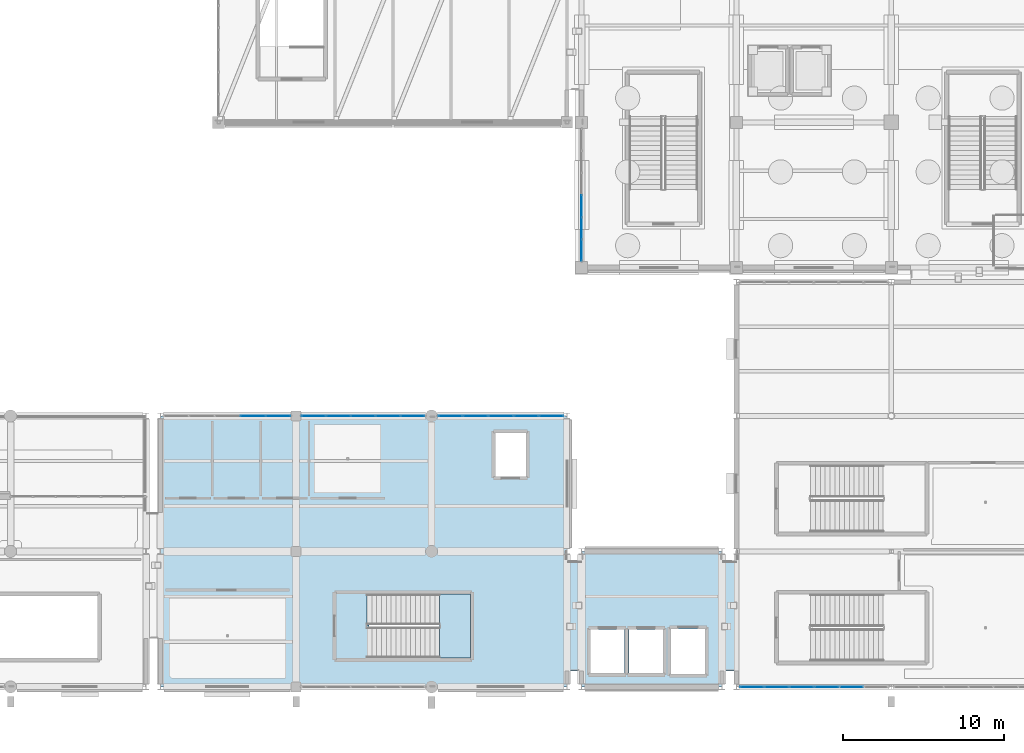
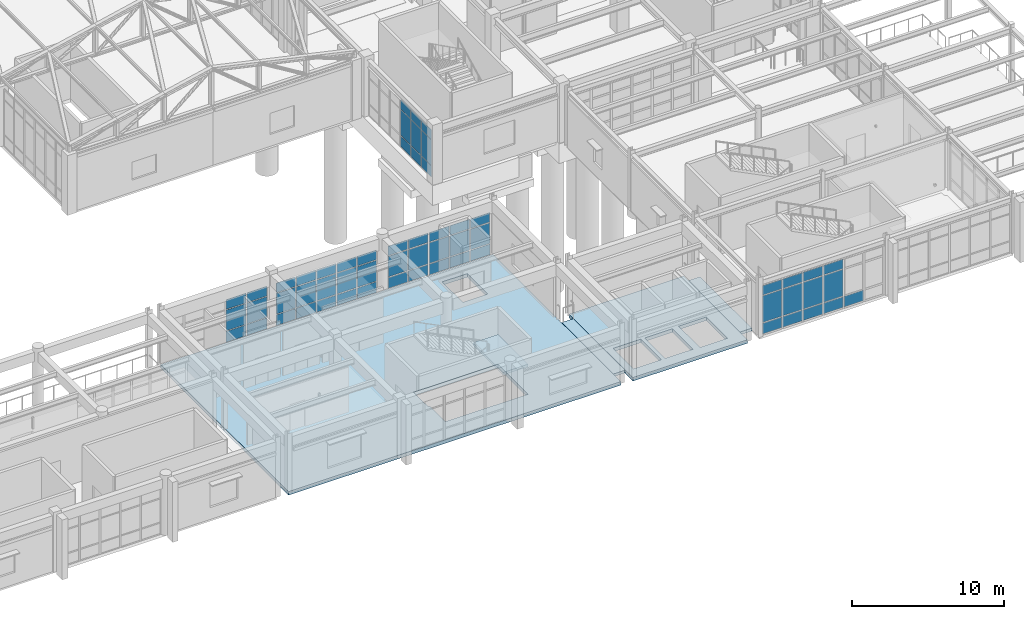
# One storey, part 92 of 139: 58 plates, 5 slabs, 6 elements without a shape of their own.
"""IFC4 building model written with IfcOpenShell, lengths in metres."""

import ifcopenshell
import ifcopenshell.guid

model = None  # the IFC model being written
_history = None  # IfcOwnerHistory: only IFC2X3 demands one
_inside = {}  # id of a spatial element -> (the spatial element, [elements in it])
_under = {}  # id of a project, library or spatial element -> (it, [spatial elements below it])
_declared = {}  # id of a project -> (the project, [libraries it declares])
_typed = {}  # id of a type object -> (the type object, [elements of that type])
_made_of = {}  # id of a material, layer set ... -> (it, [elements and type objects made of it])


def new_model(schema):
    """Start an empty IFC model of exactly this schema.

    Asked for "IFC4X3", IfcOpenShell would pick the latest addendum, in which some entities
    have other attributes; the version numbers below select the first issue.
    IFC2X3 requires an IfcOwnerHistory on every rooted entity: one is made here for all.
    """
    global model, _history
    if schema == "IFC4X3":
        model = ifcopenshell.file(schema_version=(4, 3, 0, 0))
    else:
        model = ifcopenshell.file(schema=schema)
    _inside.clear()
    _under.clear()
    _declared.clear()
    _typed.clear()
    _made_of.clear()
    _history = None
    if model.schema == "IFC2X3":
        org = make("IfcOrganization", Name="unknown")
        user = make(
            "IfcPersonAndOrganization",
            ThePerson=make("IfcPerson", FamilyName="unknown"),
            TheOrganization=org,
        )
        app = make(
            "IfcApplication",
            ApplicationDeveloper=org,
            Version="unknown",
            ApplicationFullName="unknown",
            ApplicationIdentifier="unknown",
        )
        _history = make(
            "IfcOwnerHistory",
            OwningUser=user,
            OwningApplication=app,
            ChangeAction="ADDED",
            CreationDate=0,
        )
    return model


def make(cls, **values):
    """One entity of the class cls with the attributes given. An attribute that is None is left unset."""
    return model.create_entity(
        cls, **{name: value for name, value in values.items() if value is not None}
    )


def rooted(cls, **values):
    """An entity with a GlobalId (a new one), such as an element, a storey or a relation."""
    return make(cls, GlobalId=ifcopenshell.guid.new(), OwnerHistory=_history, **values)


def si_unit(unit_type, name, prefix=None):
    """IfcSIUnit, for example si_unit("LENGTHUNIT", "METRE", prefix="MILLI")."""
    return make("IfcSIUnit", UnitType=unit_type, Prefix=prefix, Name=name)


def assignment(units):
    """IfcUnitAssignment: the units of a project."""
    return None if units is None else make("IfcUnitAssignment", Units=units)


def point(xyz):
    """IfcCartesianPoint."""
    return None if xyz is None else make("IfcCartesianPoint", Coordinates=xyz)


def direction(xyz):
    """IfcDirection."""
    return None if xyz is None else make("IfcDirection", DirectionRatios=xyz)


def frame(location, z_axis=None, x_axis=None):
    """IfcAxis2Placement3D, a coordinate frame: its origin and axes. An axis left out is left unset."""
    return make(
        "IfcAxis2Placement3D",
        Location=point(location),
        Axis=direction(z_axis),
        RefDirection=direction(x_axis),
    )


def frame_2d(location, x_axis=None):
    """IfcAxis2Placement2D, a coordinate frame in the plane: its origin and x axis."""
    return make(
        "IfcAxis2Placement2D", Location=point(location), RefDirection=direction(x_axis)
    )


def origin():
    """The frame at (0, 0, 0) with its axes left unset."""
    return frame((0.0, 0.0, 0.0))


def origin_2d():
    """The frame at (0, 0) in the plane with its x axis left unset."""
    return frame_2d((0.0, 0.0))


def place(relative_to, where):
    """IfcLocalPlacement: puts the frame where relative to a parent placement (None: the world)."""
    return make(
        "IfcLocalPlacement", PlacementRelTo=relative_to, RelativePlacement=where
    )


def context(
    kind, dimensions, precision=None, world=None, true_north=None, identifier=None
):
    """IfcGeometricRepresentationContext, for example the 3D "Model" context."""
    return make(
        "IfcGeometricRepresentationContext",
        ContextIdentifier=identifier,
        ContextType=kind,
        CoordinateSpaceDimension=dimensions,
        Precision=precision,
        WorldCoordinateSystem=world,
        TrueNorth=true_north,
    )


def subcontext(parent, identifier, kind, view, scale=None):
    """IfcGeometricRepresentationSubContext, for example "Body" below "Model"."""
    return make(
        "IfcGeometricRepresentationSubContext",
        ContextIdentifier=identifier,
        ContextType=kind,
        ParentContext=parent,
        TargetScale=scale,
        TargetView=view,
    )


def project(units=None, contexts=None):
    """IfcProject with its units and contexts."""
    return rooted(
        "IfcProject",
        Name="project",
        RepresentationContexts=contexts,
        UnitsInContext=assignment(units),
    )


def spatial(cls, under=None, at=None, **own):
    """A site, building, storey or space (cls), placed at a placement, below another one or the project."""
    s = rooted(cls, ObjectPlacement=at, **own)
    if under is not None:
        _under.setdefault(under.id(), (under, []))[1].append(s)
    return s


def polyline(points):
    """IfcPolyline through the points."""
    return make("IfcPolyline", Points=[point(p) for p in points])


def profile(cls, at=None, kind="AREA", **sizes):
    """A parametric profile (cls). Its sizes go by their IFC names, for example OverallWidth=200.0."""
    return make(cls, ProfileType=kind, Position=at, **sizes)


def rectangle(**sizes):
    """IfcRectangleProfileDef."""
    return profile("IfcRectangleProfileDef", **sizes)


def outline(outer, holes=None, kind="AREA"):
    """IfcArbitraryClosedProfileDef: a profile drawn as a closed curve; with holes, ...WithVoids."""
    if holes is None:
        return make("IfcArbitraryClosedProfileDef", ProfileType=kind, OuterCurve=outer)
    return make(
        "IfcArbitraryProfileDefWithVoids",
        ProfileType=kind,
        OuterCurve=outer,
        InnerCurves=holes,
    )


def extrude(swept, where, along, depth):
    """IfcExtrudedAreaSolid: the profile swept, set in the frame where, extruded along a direction by depth."""
    return make(
        "IfcExtrudedAreaSolid",
        SweptArea=swept,
        Position=where,
        ExtrudedDirection=direction(along),
        Depth=depth,
    )


def shape(context_of_items, identifier, shape_type, items):
    """IfcShapeRepresentation: the items that make up one representation, for example the "Body"."""
    return make(
        "IfcShapeRepresentation",
        ContextOfItems=context_of_items,
        RepresentationIdentifier=identifier,
        RepresentationType=shape_type,
        Items=items,
    )


def material(Name=None, Category=None):
    """IfcMaterial."""
    return make("IfcMaterial", Name=Name, Category=Category)


def layer(
    of_material, thickness, ventilated=None, Name=None, Category=None, Priority=None
):
    """IfcMaterialLayer: one layer of a wall or slab, of a material (None: an air gap)."""
    return make(
        "IfcMaterialLayer",
        Material=of_material,
        LayerThickness=thickness,
        IsVentilated=ventilated,
        Name=Name,
        Category=Category,
        Priority=Priority,
    )


def layer_set(layers, Name=None):
    """IfcMaterialLayerSet."""
    return make("IfcMaterialLayerSet", MaterialLayers=layers, LayerSetName=Name)


def made_of(thing, what):
    """Note that an element or type object is made of a material, layer set ...; save() writes the relation."""
    if what is not None:
        _made_of.setdefault(what.id(), (what, []))[1].append(thing)
    return thing


def type_object(cls, material=None, **own):
    """A type object (cls), such as IfcWallType, which elements share."""
    return made_of(rooted(cls, **own), material)


def element(
    cls,
    number,
    at=None,
    inside=None,
    cuts=None,
    type_object=None,
    material=None,
    context=None,
    identifier="Body",
    shape_type=None,
    held_by="IfcProductDefinitionShape",
    body=None,
    shapes=None,
    **own,
):
    """One element of the class cls, such as IfcWall. Its Tag is "e" and its number.

    at: its placement. inside: the storey or other place that contains it. cuts: it is an
    opening in that element (IfcRelVoidsElement). A single representation is given by context,
    identifier, shape_type and body (its items); several are given by shapes. held_by: the class
    of the entity that holds the representations. save() writes the other relations.
    """
    e = rooted(cls, Tag="e%d" % number, ObjectPlacement=at, **own)
    if body is not None:
        shapes = [shape(context, identifier, shape_type, body)]
    if shapes is not None:
        e.Representation = make(held_by, Representations=shapes)
    if inside is not None:
        _inside.setdefault(inside.id(), (inside, []))[1].append(e)
    if cuts is not None:
        rooted(
            "IfcRelVoidsElement", RelatingBuildingElement=cuts, RelatedOpeningElement=e
        )
    if type_object is not None:
        _typed.setdefault(type_object.id(), (type_object, []))[1].append(e)
    return made_of(e, material)


def aggregate(whole, parts):
    """IfcRelAggregates: a whole, such as a stair, and the parts it consists of."""
    return rooted("IfcRelAggregates", RelatingObject=whole, RelatedObjects=parts)


def save(model, path):
    """Write the relations noted so far, then the file.

    IfcRelAggregates (storeys below a building ...), IfcRelContainedInSpatialStructure (elements
    in a storey), IfcRelDefinesByType, IfcRelAssociatesMaterial and IfcRelDeclares: one each for
    every whole, place, type object, material and project.
    """
    for whole, parts in _under.values():
        aggregate(whole, parts)
    for where, things in _inside.values():
        rooted(
            "IfcRelContainedInSpatialStructure",
            RelatedElements=things,
            RelatingStructure=where,
        )
    for kind, things in _typed.values():
        rooted("IfcRelDefinesByType", RelatedObjects=things, RelatingType=kind)
    for what, things in _made_of.values():
        rooted("IfcRelAssociatesMaterial", RelatedObjects=things, RelatingMaterial=what)
    for by, libraries in _declared.values():
        rooted("IfcRelDeclares", RelatingContext=by, RelatedDefinitions=libraries)
    model.write(path)


model = new_model("IFC4")

# Units and contexts
model_context = context("Model", 3, precision=1e-05, world=origin(), true_north=direction((0.0, 1.0)))
body_context = subcontext(model_context, "Body", "Model", "MODEL_VIEW")
ifc_project = project(units=[si_unit("LENGTHUNIT", "METRE"), si_unit("AREAUNIT", "SQUARE_METRE"), si_unit("VOLUMEUNIT", "CUBIC_METRE"), si_unit("PLANEANGLEUNIT", "RADIAN"), si_unit("MASSUNIT", "GRAM", prefix="KILO")], contexts=[model_context])

# Site, building, storey
site_placement = place(None, origin())
site = spatial("IfcSite", under=ifc_project, at=site_placement, CompositionType="ELEMENT")
building_placement = place(site_placement, origin())
building = spatial("IfcBuilding", under=site, at=building_placement, Name="Canglan Escarpment Cableway Terminal", CompositionType="ELEMENT")
storey_placement = place(building_placement, frame((0.0, 0.0, 14.39990234375)))
storey = spatial("IfcBuildingStorey", under=building, at=storey_placement, Name="L03", CompositionType="ELEMENT", Elevation=14.39990234375)

# Curtain wall, plates
ifc_material_1 = material(Name="Anodized bronze aluminium and Low-E double glazing", Category="aluminium")
curtain_wall_type_1 = type_object("IfcCurtainWallType", Name="CW-BAY-7850x3525", PredefinedType="NOTDEFINED", material=ifc_material_1)
curtain_wall_1_placement = place(storey_placement, origin())
curtain_wall_1 = element("IfcCurtainWall", 1, at=curtain_wall_1_placement, inside=storey, type_object=curtain_wall_type_1, Name="Classical bay-between-piers glazed curtain wall CW-19", PredefinedType="NOTDEFINED")
ifc_material_2 = material(Name="Double-silver Low-E laminated insulating glass", Category="glass")
ifc_layer_1 = layer(ifc_material_2, 0.02392578125, Name="Double-silver Low-E laminated insulating glass")
ifc_layer_set_1 = layer_set([ifc_layer_1], Name="Double-silver Low-E laminated insulating glass")
plate_type_1 = type_object("IfcPlateType", Name="CWP-01", PredefinedType="CURTAIN_PANEL", material=ifc_layer_set_1)
plate_1_placement = place(storey_placement, frame((135.7236328125, 24.800048828125, 0.065185546875), z_axis=(0.0, 0.0, 1.0), x_axis=(-1.0, 0.0, 0.0)))
plate_1 = element("IfcPlate", 2, at=plate_1_placement, type_object=plate_type_1, Name="CW-19 panel 1.1", PredefinedType="CURTAIN_PANEL", context=body_context, shape_type="SweptSolid", body=[
    extrude(rectangle(XDim=1.472412109375, YDim=0.02392578125, at=origin_2d()), origin(), (0.0, 0.0, 1.0), 0.8525390625),
])
plate_2_placement = place(storey_placement, frame((135.7236328125, 24.800048828125, 0.982666015625), z_axis=(0.0, 0.0, 1.0), x_axis=(-1.0, 0.0, 0.0)))
plate_2 = element("IfcPlate", 3, at=plate_2_placement, type_object=plate_type_1, Name="CW-19 panel 1.2", PredefinedType="CURTAIN_PANEL", context=body_context, shape_type="SweptSolid", body=[
    extrude(rectangle(XDim=1.472412109375, YDim=0.02392578125, at=origin_2d()), origin(), (0.0, 0.0, 1.0), 1.64990234375),
])
plate_3_placement = place(storey_placement, frame((135.7236328125, 24.800048828125, 2.697509765625), z_axis=(0.0, 0.0, 1.0), x_axis=(-1.0, 0.0, 0.0)))
plate_3 = element("IfcPlate", 4, at=plate_3_placement, type_object=plate_type_1, Name="CW-19 panel 1.3", PredefinedType="CURTAIN_PANEL", context=body_context, shape_type="SweptSolid", body=[
    extrude(rectangle(XDim=1.472412109375, YDim=0.02392578125, at=origin_2d()), origin(), (0.0, 0.0, 1.0), 0.75244140625),
])
plate_4_placement = place(storey_placement, frame((134.169921875, 24.800048828125, 0.065185546875), z_axis=(0.0, 0.0, 1.0), x_axis=(-1.0, 0.0, 0.0)))
plate_4 = element("IfcPlate", 5, at=plate_4_placement, type_object=plate_type_1, Name="CW-19 panel 2.1", PredefinedType="CURTAIN_PANEL", context=body_context, shape_type="SweptSolid", body=[
    extrude(rectangle(XDim=1.5048828125, YDim=0.02392578125, at=origin_2d()), origin(), (0.0, 0.0, 1.0), 0.8525390625),
])
plate_5_placement = place(storey_placement, frame((134.169921875, 24.800048828125, 0.982666015625), z_axis=(0.0, 0.0, 1.0), x_axis=(-1.0, 0.0, 0.0)))
plate_5 = element("IfcPlate", 6, at=plate_5_placement, type_object=plate_type_1, Name="CW-19 panel 2.2", PredefinedType="CURTAIN_PANEL", context=body_context, shape_type="SweptSolid", body=[
    extrude(rectangle(XDim=1.5048828125, YDim=0.02392578125, at=origin_2d()), origin(), (0.0, 0.0, 1.0), 1.64990234375),
])
plate_6_placement = place(storey_placement, frame((134.169921875, 24.800048828125, 2.697509765625), z_axis=(0.0, 0.0, 1.0), x_axis=(-1.0, 0.0, 0.0)))
plate_6 = element("IfcPlate", 7, at=plate_6_placement, type_object=plate_type_1, Name="CW-19 panel 2.3", PredefinedType="CURTAIN_PANEL", context=body_context, shape_type="SweptSolid", body=[
    extrude(rectangle(XDim=1.5048828125, YDim=0.02392578125, at=origin_2d()), origin(), (0.0, 0.0, 1.0), 0.75244140625),
])
plate_7_placement = place(storey_placement, frame((132.60009765625, 24.800048828125, 0.065185546875), z_axis=(0.0, 0.0, 1.0), x_axis=(-1.0, 0.0, 0.0)))
plate_7 = element("IfcPlate", 8, at=plate_7_placement, type_object=plate_type_1, Name="CW-19 panel 3.1", PredefinedType="CURTAIN_PANEL", context=body_context, shape_type="SweptSolid", body=[
    extrude(rectangle(XDim=1.5048828125, YDim=0.02392578125, at=origin_2d()), origin(), (0.0, 0.0, 1.0), 0.8525390625),
])
plate_8_placement = place(storey_placement, frame((132.60009765625, 24.800048828125, 0.982666015625), z_axis=(0.0, 0.0, 1.0), x_axis=(-1.0, 0.0, 0.0)))
plate_8 = element("IfcPlate", 9, at=plate_8_placement, type_object=plate_type_1, Name="CW-19 panel 3.2", PredefinedType="CURTAIN_PANEL", context=body_context, shape_type="SweptSolid", body=[
    extrude(rectangle(XDim=1.5048828125, YDim=0.02392578125, at=origin_2d()), origin(), (0.0, 0.0, 1.0), 1.64990234375),
])
plate_9_placement = place(storey_placement, frame((132.60009765625, 24.800048828125, 2.697509765625), z_axis=(0.0, 0.0, 1.0), x_axis=(-1.0, 0.0, 0.0)))
plate_9 = element("IfcPlate", 10, at=plate_9_placement, type_object=plate_type_1, Name="CW-19 panel 3.3", PredefinedType="CURTAIN_PANEL", context=body_context, shape_type="SweptSolid", body=[
    extrude(rectangle(XDim=1.5048828125, YDim=0.02392578125, at=origin_2d()), origin(), (0.0, 0.0, 1.0), 0.75244140625),
])
plate_10_placement = place(storey_placement, frame((131.030029296875, 24.800048828125, 0.065185546875), z_axis=(0.0, 0.0, 1.0), x_axis=(-1.0, 0.0, 0.0)))
plate_10 = element("IfcPlate", 11, at=plate_10_placement, type_object=plate_type_1, Name="CW-19 panel 4.1", PredefinedType="CURTAIN_PANEL", context=body_context, shape_type="SweptSolid", body=[
    extrude(rectangle(XDim=1.5048828125, YDim=0.02392578125, at=origin_2d()), origin(), (0.0, 0.0, 1.0), 0.8525390625),
])
plate_11_placement = place(storey_placement, frame((131.030029296875, 24.800048828125, 0.982666015625), z_axis=(0.0, 0.0, 1.0), x_axis=(-1.0, 0.0, 0.0)))
plate_11 = element("IfcPlate", 12, at=plate_11_placement, type_object=plate_type_1, Name="CW-19 panel 4.2", PredefinedType="CURTAIN_PANEL", context=body_context, shape_type="SweptSolid", body=[
    extrude(rectangle(XDim=1.5048828125, YDim=0.02392578125, at=origin_2d()), origin(), (0.0, 0.0, 1.0), 1.64990234375),
])
plate_12_placement = place(storey_placement, frame((131.030029296875, 24.800048828125, 2.697509765625), z_axis=(0.0, 0.0, 1.0), x_axis=(-1.0, 0.0, 0.0)))
plate_12 = element("IfcPlate", 13, at=plate_12_placement, type_object=plate_type_1, Name="CW-19 panel 4.3", PredefinedType="CURTAIN_PANEL", context=body_context, shape_type="SweptSolid", body=[
    extrude(rectangle(XDim=1.5048828125, YDim=0.02392578125, at=origin_2d()), origin(), (0.0, 0.0, 1.0), 0.75244140625),
])
plate_13_placement = place(storey_placement, frame((129.476318359375, 24.800048828125, 0.065185546875), z_axis=(0.0, 0.0, 1.0), x_axis=(-1.0, 0.0, 0.0)))
plate_13 = element("IfcPlate", 14, at=plate_13_placement, type_object=plate_type_1, Name="CW-19 panel 5.1", PredefinedType="CURTAIN_PANEL", context=body_context, shape_type="SweptSolid", body=[
    extrude(rectangle(XDim=1.472412109375, YDim=0.02392578125, at=origin_2d()), origin(), (0.0, 0.0, 1.0), 0.8525390625),
])
plate_14_placement = place(storey_placement, frame((129.476318359375, 24.800048828125, 0.982666015625), z_axis=(0.0, 0.0, 1.0), x_axis=(-1.0, 0.0, 0.0)))
plate_14 = element("IfcPlate", 15, at=plate_14_placement, type_object=plate_type_1, Name="CW-19 panel 5.2", PredefinedType="CURTAIN_PANEL", context=body_context, shape_type="SweptSolid", body=[
    extrude(rectangle(XDim=1.472412109375, YDim=0.02392578125, at=origin_2d()), origin(), (0.0, 0.0, 1.0), 1.64990234375),
])
plate_15_placement = place(storey_placement, frame((129.476318359375, 24.800048828125, 2.697509765625), z_axis=(0.0, 0.0, 1.0), x_axis=(-1.0, 0.0, 0.0)))
plate_15 = element("IfcPlate", 16, at=plate_15_placement, type_object=plate_type_1, Name="CW-19 panel 5.3", PredefinedType="CURTAIN_PANEL", context=body_context, shape_type="SweptSolid", body=[
    extrude(rectangle(XDim=1.472412109375, YDim=0.02392578125, at=origin_2d()), origin(), (0.0, 0.0, 1.0), 0.75244140625),
])
aggregate(curtain_wall_1, [plate_1, plate_2, plate_3, plate_4, plate_5, plate_6, plate_7, plate_8, plate_9, plate_10, plate_11, plate_12, plate_13, plate_14, plate_15])

curtain_wall_type_2 = type_object("IfcCurtainWallType", Name="CW-BAY-9275x4000", PredefinedType="NOTDEFINED", material=ifc_material_1)
curtain_wall_2_placement = place(storey_placement, origin())
curtain_wall_2 = element("IfcCurtainWall", 17, at=curtain_wall_2_placement, inside=storey, type_object=curtain_wall_type_2, Name="Classical bay-between-piers glazed curtain wall CW-29", PredefinedType="NOTDEFINED")
plate_16_placement = place(storey_placement, frame((148.1640625, 8.0, 0.065185546875), z_axis=(0.0, 0.0, 1.0), x_axis=(1.0, 0.0, 0.0)))
plate_16 = element("IfcPlate", 18, at=plate_16_placement, type_object=plate_type_1, Name="CW-29 panel 1.1", PredefinedType="CURTAIN_PANEL", context=body_context, shape_type="SweptSolid", body=[
    extrude(rectangle(XDim=1.4482421875, YDim=0.02392578125, at=origin_2d()), origin(), (0.0, 0.0, 1.0), 0.8525390625),
])
plate_17_placement = place(storey_placement, frame((148.1640625, 8.0, 0.982421875), z_axis=(0.0, 0.0, 1.0), x_axis=(1.0, 0.0, 0.0)))
plate_17 = element("IfcPlate", 19, at=plate_17_placement, type_object=plate_type_1, Name="CW-29 panel 1.2", PredefinedType="CURTAIN_PANEL", context=body_context, shape_type="SweptSolid", body=[
    extrude(rectangle(XDim=1.4482421875, YDim=0.02392578125, at=origin_2d()), origin(), (0.0, 0.0, 1.0), 2.132080078125),
])
plate_18_placement = place(storey_placement, frame((148.1640625, 8.0, 3.1796875), z_axis=(0.0, 0.0, 1.0), x_axis=(1.0, 0.0, 0.0)))
plate_18 = element("IfcPlate", 20, at=plate_18_placement, type_object=plate_type_1, Name="CW-29 panel 1.3", PredefinedType="CURTAIN_PANEL", context=body_context, shape_type="SweptSolid", body=[
    extrude(rectangle(XDim=1.4482421875, YDim=0.02392578125, at=origin_2d()), origin(), (0.0, 0.0, 1.0), 0.75244140625),
])
plate_19_placement = place(storey_placement, frame((149.69384765625, 8.0, 0.065185546875), z_axis=(0.0, 0.0, 1.0), x_axis=(1.0, 0.0, 0.0)))
plate_19 = element("IfcPlate", 21, at=plate_19_placement, type_object=plate_type_1, Name="CW-29 panel 2.1", PredefinedType="CURTAIN_PANEL", context=body_context, shape_type="SweptSolid", body=[
    extrude(rectangle(XDim=1.480712890625, YDim=0.02392578125, at=origin_2d()), origin(), (0.0, 0.0, 1.0), 0.8525390625),
])
plate_20_placement = place(storey_placement, frame((149.69384765625, 8.0, 0.982421875), z_axis=(0.0, 0.0, 1.0), x_axis=(1.0, 0.0, 0.0)))
plate_20 = element("IfcPlate", 22, at=plate_20_placement, type_object=plate_type_1, Name="CW-29 panel 2.2", PredefinedType="CURTAIN_PANEL", context=body_context, shape_type="SweptSolid", body=[
    extrude(rectangle(XDim=1.480712890625, YDim=0.02392578125, at=origin_2d()), origin(), (0.0, 0.0, 1.0), 2.132080078125),
])
plate_21_placement = place(storey_placement, frame((149.69384765625, 8.0, 3.1796875), z_axis=(0.0, 0.0, 1.0), x_axis=(1.0, 0.0, 0.0)))
plate_21 = element("IfcPlate", 23, at=plate_21_placement, type_object=plate_type_1, Name="CW-29 panel 2.3", PredefinedType="CURTAIN_PANEL", context=body_context, shape_type="SweptSolid", body=[
    extrude(rectangle(XDim=1.480712890625, YDim=0.02392578125, at=origin_2d()), origin(), (0.0, 0.0, 1.0), 0.75244140625),
])
plate_22_placement = place(storey_placement, frame((151.239501953125, 8.0, 0.065185546875), z_axis=(0.0, 0.0, 1.0), x_axis=(1.0, 0.0, 0.0)))
plate_22 = element("IfcPlate", 24, at=plate_22_placement, type_object=plate_type_1, Name="CW-29 panel 3.1", PredefinedType="CURTAIN_PANEL", context=body_context, shape_type="SweptSolid", body=[
    extrude(rectangle(XDim=1.480712890625, YDim=0.02392578125, at=origin_2d()), origin(), (0.0, 0.0, 1.0), 0.8525390625),
])
plate_23_placement = place(storey_placement, frame((151.239501953125, 8.0, 0.982421875), z_axis=(0.0, 0.0, 1.0), x_axis=(1.0, 0.0, 0.0)))
plate_23 = element("IfcPlate", 25, at=plate_23_placement, type_object=plate_type_1, Name="CW-29 panel 3.2", PredefinedType="CURTAIN_PANEL", context=body_context, shape_type="SweptSolid", body=[
    extrude(rectangle(XDim=1.480712890625, YDim=0.02392578125, at=origin_2d()), origin(), (0.0, 0.0, 1.0), 2.132080078125),
])
plate_24_placement = place(storey_placement, frame((151.239501953125, 8.0, 3.1796875), z_axis=(0.0, 0.0, 1.0), x_axis=(1.0, 0.0, 0.0)))
plate_24 = element("IfcPlate", 26, at=plate_24_placement, type_object=plate_type_1, Name="CW-29 panel 3.3", PredefinedType="CURTAIN_PANEL", context=body_context, shape_type="SweptSolid", body=[
    extrude(rectangle(XDim=1.480712890625, YDim=0.02392578125, at=origin_2d()), origin(), (0.0, 0.0, 1.0), 0.75244140625),
])
plate_25_placement = place(storey_placement, frame((152.785400390625, 8.0, 0.065185546875), z_axis=(0.0, 0.0, 1.0), x_axis=(1.0, 0.0, 0.0)))
plate_25 = element("IfcPlate", 27, at=plate_25_placement, type_object=plate_type_1, Name="CW-29 panel 4.1", PredefinedType="CURTAIN_PANEL", context=body_context, shape_type="SweptSolid", body=[
    extrude(rectangle(XDim=1.480712890625, YDim=0.02392578125, at=origin_2d()), origin(), (0.0, 0.0, 1.0), 0.8525390625),
])
plate_26_placement = place(storey_placement, frame((152.785400390625, 8.0, 0.982421875), z_axis=(0.0, 0.0, 1.0), x_axis=(1.0, 0.0, 0.0)))
plate_26 = element("IfcPlate", 28, at=plate_26_placement, type_object=plate_type_1, Name="CW-29 panel 4.2", PredefinedType="CURTAIN_PANEL", context=body_context, shape_type="SweptSolid", body=[
    extrude(rectangle(XDim=1.480712890625, YDim=0.02392578125, at=origin_2d()), origin(), (0.0, 0.0, 1.0), 2.132080078125),
])
plate_27_placement = place(storey_placement, frame((152.785400390625, 8.0, 3.1796875), z_axis=(0.0, 0.0, 1.0), x_axis=(1.0, 0.0, 0.0)))
plate_27 = element("IfcPlate", 29, at=plate_27_placement, type_object=plate_type_1, Name="CW-29 panel 4.3", PredefinedType="CURTAIN_PANEL", context=body_context, shape_type="SweptSolid", body=[
    extrude(rectangle(XDim=1.480712890625, YDim=0.02392578125, at=origin_2d()), origin(), (0.0, 0.0, 1.0), 0.75244140625),
])
plate_28_placement = place(storey_placement, frame((154.331298828125, 8.0, 0.065185546875), z_axis=(0.0, 0.0, 1.0), x_axis=(1.0, 0.0, 0.0)))
plate_28 = element("IfcPlate", 30, at=plate_28_placement, type_object=plate_type_1, Name="CW-29 panel 5.1", PredefinedType="CURTAIN_PANEL", context=body_context, shape_type="SweptSolid", body=[
    extrude(rectangle(XDim=1.480712890625, YDim=0.02392578125, at=origin_2d()), origin(), (0.0, 0.0, 1.0), 0.8525390625),
])
aggregate(curtain_wall_2, [plate_16, plate_17, plate_18, plate_19, plate_20, plate_21, plate_22, plate_23, plate_24, plate_25, plate_26, plate_27, plate_28])

curtain_wall_type_3 = type_object("IfcCurtainWallType", Name="CW-BAY-8250x3900", PredefinedType="NOTDEFINED", material=ifc_material_1)
curtain_wall_3_placement = place(storey_placement, origin())
curtain_wall_3 = element("IfcCurtainWall", 31, at=curtain_wall_3_placement, inside=storey, type_object=curtain_wall_type_3, Name="Classical bay-between-piers glazed curtain wall CW-62", PredefinedType="NOTDEFINED")
plate_29_placement = place(storey_placement, frame((137.60009765625, 37.8125, 0.05517578125), z_axis=(0.0, 0.0, 1.0), x_axis=(0.0, -1.0, 0.0)))
plate_29 = element("IfcPlate", 32, at=plate_29_placement, type_object=plate_type_1, Name="CW-62 panel 4.1", PredefinedType="CURTAIN_PANEL", context=body_context, shape_type="SweptSolid", body=[
    extrude(rectangle(XDim=1.31494140625, YDim=0.02392578125, at=origin_2d()), origin(), (0.0, 0.0, 1.0), 0.867431640625),
])
plate_30_placement = place(storey_placement, frame((137.60009765625, 37.8125, 0.9775390625), z_axis=(0.0, 0.0, 1.0), x_axis=(0.0, -1.0, 0.0)))
plate_30 = element("IfcPlate", 33, at=plate_30_placement, type_object=plate_type_1, Name="CW-62 panel 4.2", PredefinedType="CURTAIN_PANEL", context=body_context, shape_type="SweptSolid", body=[
    extrude(rectangle(XDim=1.31494140625, YDim=0.02392578125, at=origin_2d()), origin(), (0.0, 0.0, 1.0), 2.035888671875),
])
plate_31_placement = place(storey_placement, frame((137.60009765625, 37.8125, 3.068603515625), z_axis=(0.0, 0.0, 1.0), x_axis=(0.0, -1.0, 0.0)))
plate_31 = element("IfcPlate", 34, at=plate_31_placement, type_object=plate_type_1, Name="CW-62 panel 4.3", PredefinedType="CURTAIN_PANEL", context=body_context, shape_type="SweptSolid", body=[
    extrude(rectangle(XDim=1.31494140625, YDim=0.02392578125, at=origin_2d()), origin(), (0.0, 0.0, 1.0), 0.767578125),
])
plate_32_placement = place(storey_placement, frame((137.60009765625, 36.4375, 0.05517578125), z_axis=(0.0, 0.0, 1.0), x_axis=(0.0, -1.0, 0.0)))
plate_32 = element("IfcPlate", 35, at=plate_32_placement, type_object=plate_type_1, Name="CW-62 panel 5.1", PredefinedType="CURTAIN_PANEL", context=body_context, shape_type="SweptSolid", body=[
    extrude(rectangle(XDim=1.31494140625, YDim=0.02392578125, at=origin_2d()), origin(), (0.0, 0.0, 1.0), 0.867431640625),
])
plate_33_placement = place(storey_placement, frame((137.60009765625, 36.4375, 0.9775390625), z_axis=(0.0, 0.0, 1.0), x_axis=(0.0, -1.0, 0.0)))
plate_33 = element("IfcPlate", 36, at=plate_33_placement, type_object=plate_type_1, Name="CW-62 panel 5.2", PredefinedType="CURTAIN_PANEL", context=body_context, shape_type="SweptSolid", body=[
    extrude(rectangle(XDim=1.31494140625, YDim=0.02392578125, at=origin_2d()), origin(), (0.0, 0.0, 1.0), 2.035888671875),
])
plate_34_placement = place(storey_placement, frame((137.60009765625, 36.4375, 3.068603515625), z_axis=(0.0, 0.0, 1.0), x_axis=(0.0, -1.0, 0.0)))
plate_34 = element("IfcPlate", 37, at=plate_34_placement, type_object=plate_type_1, Name="CW-62 panel 5.3", PredefinedType="CURTAIN_PANEL", context=body_context, shape_type="SweptSolid", body=[
    extrude(rectangle(XDim=1.31494140625, YDim=0.02392578125, at=origin_2d()), origin(), (0.0, 0.0, 1.0), 0.767578125),
])
plate_35_placement = place(storey_placement, frame((137.60009765625, 35.077392578125, 0.05517578125), z_axis=(0.0, 0.0, 1.0), x_axis=(0.0, -1.0, 0.0)))
plate_35 = element("IfcPlate", 38, at=plate_35_placement, type_object=plate_type_1, Name="CW-62 panel 6.1", PredefinedType="CURTAIN_PANEL", context=body_context, shape_type="SweptSolid", body=[
    extrude(rectangle(XDim=1.284912109375, YDim=0.02392578125, at=origin_2d()), origin(), (0.0, 0.0, 1.0), 0.867431640625),
])
plate_36_placement = place(storey_placement, frame((137.60009765625, 35.077392578125, 0.9775390625), z_axis=(0.0, 0.0, 1.0), x_axis=(0.0, -1.0, 0.0)))
plate_36 = element("IfcPlate", 39, at=plate_36_placement, type_object=plate_type_1, Name="CW-62 panel 6.2", PredefinedType="CURTAIN_PANEL", context=body_context, shape_type="SweptSolid", body=[
    extrude(rectangle(XDim=1.284912109375, YDim=0.02392578125, at=origin_2d()), origin(), (0.0, 0.0, 1.0), 2.035888671875),
])
plate_37_placement = place(storey_placement, frame((137.60009765625, 35.077392578125, 3.068603515625), z_axis=(0.0, 0.0, 1.0), x_axis=(0.0, -1.0, 0.0)))
plate_37 = element("IfcPlate", 40, at=plate_37_placement, type_object=plate_type_1, Name="CW-62 panel 6.3", PredefinedType="CURTAIN_PANEL", context=body_context, shape_type="SweptSolid", body=[
    extrude(rectangle(XDim=1.284912109375, YDim=0.02392578125, at=origin_2d()), origin(), (0.0, 0.0, 1.0), 0.767578125),
])
aggregate(curtain_wall_3, [plate_29, plate_30, plate_31, plate_32, plate_33, plate_34, plate_35, plate_36, plate_37])

curtain_wall_type_4 = type_object("IfcCurtainWallType", Name="CW-BAY-7925x3525", PredefinedType="NOTDEFINED", material=ifc_material_1)
curtain_wall_4_placement = place(storey_placement, origin())
curtain_wall_4 = element("IfcCurtainWall", 41, at=curtain_wall_4_placement, inside=storey, type_object=curtain_wall_type_4, Name="Classical bay-between-piers glazed curtain wall CW-17", PredefinedType="NOTDEFINED")
ifc_layer_2 = layer(ifc_material_2, 0.031982421875, Name="Double-silver Low-E laminated insulating glass")
ifc_layer_set_2 = layer_set([ifc_layer_2], Name="Double-silver Low-E laminated insulating glass")
plate_type_2 = type_object("IfcPlateType", Name="CWP-03", PredefinedType="CURTAIN_PANEL", material=ifc_layer_set_2)
plate_38_placement = place(storey_placement, frame((118.79248046875, 24.800048828125, 0.05517578125), z_axis=(0.0, 0.0, 1.0), x_axis=(-1.0, 0.0, 0.0)))
plate_38 = element("IfcPlate", 42, at=plate_38_placement, type_object=plate_type_2, Name="CW-17 panel 1.1", PredefinedType="CURTAIN_PANEL", context=body_context, shape_type="SweptSolid", body=[
    extrude(rectangle(XDim=1.4951171875, YDim=0.031982421875, at=origin_2d()), origin(), (0.0, 0.0, 1.0), 0.867431640625),
])
plate_39_placement = place(storey_placement, frame((118.79248046875, 24.800048828125, 0.9775390625), z_axis=(0.0, 0.0, 1.0), x_axis=(-1.0, 0.0, 0.0)))
plate_39 = element("IfcPlate", 43, at=plate_39_placement, type_object=plate_type_2, Name="CW-17 panel 1.2", PredefinedType="CURTAIN_PANEL", context=body_context, shape_type="SweptSolid", body=[
    extrude(rectangle(XDim=1.4951171875, YDim=0.031982421875, at=origin_2d()), origin(), (0.0, 0.0, 1.0), 1.659912109375),
])
plate_40_placement = place(storey_placement, frame((118.79248046875, 24.800048828125, 2.692626953125), z_axis=(0.0, 0.0, 1.0), x_axis=(-1.0, 0.0, 0.0)))
plate_40 = element("IfcPlate", 44, at=plate_40_placement, type_object=plate_type_2, Name="CW-17 panel 1.3", PredefinedType="CURTAIN_PANEL", context=body_context, shape_type="SweptSolid", body=[
    extrude(rectangle(XDim=1.4951171875, YDim=0.031982421875, at=origin_2d()), origin(), (0.0, 0.0, 1.0), 0.767578125),
])
plate_41_placement = place(storey_placement, frame((117.222412109375, 24.800048828125, 0.05517578125), z_axis=(0.0, 0.0, 1.0), x_axis=(-1.0, 0.0, 0.0)))
plate_41 = element("IfcPlate", 45, at=plate_41_placement, type_object=plate_type_2, Name="CW-17 panel 2.1", PredefinedType="CURTAIN_PANEL", context=body_context, shape_type="SweptSolid", body=[
    extrude(rectangle(XDim=1.52490234375, YDim=0.031982421875, at=origin_2d()), origin(), (0.0, 0.0, 1.0), 0.867431640625),
])
plate_42_placement = place(storey_placement, frame((117.222412109375, 24.800048828125, 0.9775390625), z_axis=(0.0, 0.0, 1.0), x_axis=(-1.0, 0.0, 0.0)))
plate_42 = element("IfcPlate", 46, at=plate_42_placement, type_object=plate_type_2, Name="CW-17 panel 2.2", PredefinedType="CURTAIN_PANEL", context=body_context, shape_type="SweptSolid", body=[
    extrude(rectangle(XDim=1.52490234375, YDim=0.031982421875, at=origin_2d()), origin(), (0.0, 0.0, 1.0), 1.659912109375),
])
plate_43_placement = place(storey_placement, frame((117.222412109375, 24.800048828125, 2.692626953125), z_axis=(0.0, 0.0, 1.0), x_axis=(-1.0, 0.0, 0.0)))
plate_43 = element("IfcPlate", 47, at=plate_43_placement, type_object=plate_type_2, Name="CW-17 panel 2.3", PredefinedType="CURTAIN_PANEL", context=body_context, shape_type="SweptSolid", body=[
    extrude(rectangle(XDim=1.52490234375, YDim=0.031982421875, at=origin_2d()), origin(), (0.0, 0.0, 1.0), 0.767578125),
])
aggregate(curtain_wall_4, [plate_38, plate_39, plate_40, plate_41, plate_42, plate_43])

curtain_wall_type_5 = type_object("IfcCurtainWallType", Name="CW-BAY-7725x3525", PredefinedType="NOTDEFINED", material=ifc_material_1)
curtain_wall_5_placement = place(storey_placement, origin())
curtain_wall_5 = element("IfcCurtainWall", 48, at=curtain_wall_5_placement, inside=storey, type_object=curtain_wall_type_5, Name="Classical bay-between-piers glazed curtain wall CW-18", PredefinedType="NOTDEFINED")
ifc_layer_3 = layer(ifc_material_2, 0.035888671875, Name="Double-silver Low-E laminated insulating glass")
ifc_layer_set_3 = layer_set([ifc_layer_3], Name="Double-silver Low-E laminated insulating glass")
plate_type_3 = type_object("IfcPlateType", Name="CWP-04", PredefinedType="CURTAIN_PANEL", material=ifc_layer_set_3)
plate_44_placement = place(storey_placement, frame((127.13623046875, 24.800048828125, 0.06005859375), z_axis=(0.0, 0.0, 1.0), x_axis=(-1.0, 0.0, 0.0)))
plate_44 = element("IfcPlate", 49, at=plate_44_placement, type_object=plate_type_3, Name="CW-18 panel 1.1", PredefinedType="CURTAIN_PANEL", context=body_context, shape_type="SweptSolid", body=[
    extrude(rectangle(XDim=1.447509765625, YDim=0.035888671875, at=origin_2d()), origin(), (0.0, 0.0, 1.0), 0.860107421875),
])
plate_45_placement = place(storey_placement, frame((127.13623046875, 24.800048828125, 0.97998046875), z_axis=(0.0, 0.0, 1.0), x_axis=(-1.0, 0.0, 0.0)))
plate_45 = element("IfcPlate", 50, at=plate_45_placement, type_object=plate_type_3, Name="CW-18 panel 1.2", PredefinedType="CURTAIN_PANEL", context=body_context, shape_type="SweptSolid", body=[
    extrude(rectangle(XDim=1.447509765625, YDim=0.035888671875, at=origin_2d()), origin(), (0.0, 0.0, 1.0), 1.655029296875),
])
plate_46_placement = place(storey_placement, frame((127.13623046875, 24.800048828125, 2.6953125), z_axis=(0.0, 0.0, 1.0), x_axis=(-1.0, 0.0, 0.0)))
plate_46 = element("IfcPlate", 51, at=plate_46_placement, type_object=plate_type_3, Name="CW-18 panel 1.3", PredefinedType="CURTAIN_PANEL", context=body_context, shape_type="SweptSolid", body=[
    extrude(rectangle(XDim=1.447509765625, YDim=0.035888671875, at=origin_2d()), origin(), (0.0, 0.0, 1.0), 0.760009765625),
])
plate_47_placement = place(storey_placement, frame((125.607421875, 24.800048828125, 0.06005859375), z_axis=(0.0, 0.0, 1.0), x_axis=(-1.0, 0.0, 0.0)))
plate_47 = element("IfcPlate", 52, at=plate_47_placement, type_object=plate_type_3, Name="CW-18 panel 2.1", PredefinedType="CURTAIN_PANEL", context=body_context, shape_type="SweptSolid", body=[
    extrude(rectangle(XDim=1.47998046875, YDim=0.035888671875, at=origin_2d()), origin(), (0.0, 0.0, 1.0), 0.860107421875),
])
plate_48_placement = place(storey_placement, frame((125.607421875, 24.800048828125, 0.97998046875), z_axis=(0.0, 0.0, 1.0), x_axis=(-1.0, 0.0, 0.0)))
plate_48 = element("IfcPlate", 53, at=plate_48_placement, type_object=plate_type_3, Name="CW-18 panel 2.2", PredefinedType="CURTAIN_PANEL", context=body_context, shape_type="SweptSolid", body=[
    extrude(rectangle(XDim=1.47998046875, YDim=0.035888671875, at=origin_2d()), origin(), (0.0, 0.0, 1.0), 1.655029296875),
])
plate_49_placement = place(storey_placement, frame((125.607421875, 24.800048828125, 2.6953125), z_axis=(0.0, 0.0, 1.0), x_axis=(-1.0, 0.0, 0.0)))
plate_49 = element("IfcPlate", 54, at=plate_49_placement, type_object=plate_type_3, Name="CW-18 panel 2.3", PredefinedType="CURTAIN_PANEL", context=body_context, shape_type="SweptSolid", body=[
    extrude(rectangle(XDim=1.47998046875, YDim=0.035888671875, at=origin_2d()), origin(), (0.0, 0.0, 1.0), 0.760009765625),
])
plate_50_placement = place(storey_placement, frame((124.0625, 24.800048828125, 0.06005859375), z_axis=(0.0, 0.0, 1.0), x_axis=(-1.0, 0.0, 0.0)))
plate_50 = element("IfcPlate", 55, at=plate_50_placement, type_object=plate_type_3, Name="CW-18 panel 3.1", PredefinedType="CURTAIN_PANEL", context=body_context, shape_type="SweptSolid", body=[
    extrude(rectangle(XDim=1.47998046875, YDim=0.035888671875, at=origin_2d()), origin(), (0.0, 0.0, 1.0), 0.860107421875),
])
plate_51_placement = place(storey_placement, frame((124.0625, 24.800048828125, 0.97998046875), z_axis=(0.0, 0.0, 1.0), x_axis=(-1.0, 0.0, 0.0)))
plate_51 = element("IfcPlate", 56, at=plate_51_placement, type_object=plate_type_3, Name="CW-18 panel 3.2", PredefinedType="CURTAIN_PANEL", context=body_context, shape_type="SweptSolid", body=[
    extrude(rectangle(XDim=1.47998046875, YDim=0.035888671875, at=origin_2d()), origin(), (0.0, 0.0, 1.0), 1.655029296875),
])
plate_52_placement = place(storey_placement, frame((124.0625, 24.800048828125, 2.6953125), z_axis=(0.0, 0.0, 1.0), x_axis=(-1.0, 0.0, 0.0)))
plate_52 = element("IfcPlate", 57, at=plate_52_placement, type_object=plate_type_3, Name="CW-18 panel 3.3", PredefinedType="CURTAIN_PANEL", context=body_context, shape_type="SweptSolid", body=[
    extrude(rectangle(XDim=1.47998046875, YDim=0.035888671875, at=origin_2d()), origin(), (0.0, 0.0, 1.0), 0.760009765625),
])
plate_53_placement = place(storey_placement, frame((122.517578125, 24.800048828125, 0.06005859375), z_axis=(0.0, 0.0, 1.0), x_axis=(-1.0, 0.0, 0.0)))
plate_53 = element("IfcPlate", 58, at=plate_53_placement, type_object=plate_type_3, Name="CW-18 panel 4.1", PredefinedType="CURTAIN_PANEL", context=body_context, shape_type="SweptSolid", body=[
    extrude(rectangle(XDim=1.47998046875, YDim=0.035888671875, at=origin_2d()), origin(), (0.0, 0.0, 1.0), 0.860107421875),
])
plate_54_placement = place(storey_placement, frame((122.517578125, 24.800048828125, 0.97998046875), z_axis=(0.0, 0.0, 1.0), x_axis=(-1.0, 0.0, 0.0)))
plate_54 = element("IfcPlate", 59, at=plate_54_placement, type_object=plate_type_3, Name="CW-18 panel 4.2", PredefinedType="CURTAIN_PANEL", context=body_context, shape_type="SweptSolid", body=[
    extrude(rectangle(XDim=1.47998046875, YDim=0.035888671875, at=origin_2d()), origin(), (0.0, 0.0, 1.0), 1.655029296875),
])
plate_55_placement = place(storey_placement, frame((122.517578125, 24.800048828125, 2.6953125), z_axis=(0.0, 0.0, 1.0), x_axis=(-1.0, 0.0, 0.0)))
plate_55 = element("IfcPlate", 60, at=plate_55_placement, type_object=plate_type_3, Name="CW-18 panel 4.3", PredefinedType="CURTAIN_PANEL", context=body_context, shape_type="SweptSolid", body=[
    extrude(rectangle(XDim=1.47998046875, YDim=0.035888671875, at=origin_2d()), origin(), (0.0, 0.0, 1.0), 0.760009765625),
])
plate_56_placement = place(storey_placement, frame((120.98876953125, 24.800048828125, 0.06005859375), z_axis=(0.0, 0.0, 1.0), x_axis=(-1.0, 0.0, 0.0)))
plate_56 = element("IfcPlate", 61, at=plate_56_placement, type_object=plate_type_3, Name="CW-18 panel 5.1", PredefinedType="CURTAIN_PANEL", context=body_context, shape_type="SweptSolid", body=[
    extrude(rectangle(XDim=1.447509765625, YDim=0.035888671875, at=origin_2d()), origin(), (0.0, 0.0, 1.0), 0.860107421875),
])
plate_57_placement = place(storey_placement, frame((120.98876953125, 24.800048828125, 0.97998046875), z_axis=(0.0, 0.0, 1.0), x_axis=(-1.0, 0.0, 0.0)))
plate_57 = element("IfcPlate", 62, at=plate_57_placement, type_object=plate_type_3, Name="CW-18 panel 5.2", PredefinedType="CURTAIN_PANEL", context=body_context, shape_type="SweptSolid", body=[
    extrude(rectangle(XDim=1.447509765625, YDim=0.035888671875, at=origin_2d()), origin(), (0.0, 0.0, 1.0), 1.655029296875),
])
plate_58_placement = place(storey_placement, frame((120.98876953125, 24.800048828125, 2.6953125), z_axis=(0.0, 0.0, 1.0), x_axis=(-1.0, 0.0, 0.0)))
plate_58 = element("IfcPlate", 63, at=plate_58_placement, type_object=plate_type_3, Name="CW-18 panel 5.3", PredefinedType="CURTAIN_PANEL", context=body_context, shape_type="SweptSolid", body=[
    extrude(rectangle(XDim=1.447509765625, YDim=0.035888671875, at=origin_2d()), origin(), (0.0, 0.0, 1.0), 0.760009765625),
])
aggregate(curtain_wall_5, [plate_44, plate_45, plate_46, plate_47, plate_48, plate_49, plate_50, plate_51, plate_52, plate_53, plate_54, plate_55, plate_56, plate_57, plate_58])

# Slabs
ifc_material_3 = material(Name="Concrete C40", Category="concrete")
ifc_layer_4 = layer(ifc_material_3, 0.280029296875, Name="Concrete C40")
ifc_layer_set_4 = layer_set([ifc_layer_4], Name="Concrete C40")
slab_type_1 = type_object("IfcSlabType", Name="SLB-FLR-280", PredefinedType="FLOOR", material=ifc_layer_set_4)
slab_1_placement = place(storey_placement, frame((0.0, 0.0, -0.27978515625)))
element("IfcSlab", 64, at=slab_1_placement, inside=storey, type_object=slab_type_1, Name="Suspended structural floor slab L03", PredefinedType="FLOOR", context=body_context, shape_type="SweptSolid", body=[
    extrude(outline(polyline([(111.5, 8.0), (136.699951171875, 8.0), (136.699951171875, 24.800048828125), (111.5, 24.800048828125), (111.5, 8.0)]), holes=[polyline([(124.419921875, 9.800048828125), (124.419921875, 11.830078125), (124.305908203125, 11.830078125), (124.305908203125, 13.75), (130.699951171875, 13.75), (130.699951171875, 11.85009765625), (130.699951171875, 11.830078125), (130.699951171875, 9.800048828125), (124.419921875, 9.800048828125)]), polyline([(132.25, 21.050048828125), (132.25, 23.75), (134.14990234375, 23.75), (134.14990234375, 21.050048828125), (132.25, 21.050048828125)])]), origin(), (0.0, 0.0, 1.0), 0.27978515625),
])
slab_2_placement = place(storey_placement, frame((0.0, 0.0, -0.27978515625)))
element("IfcSlab", 65, at=slab_2_placement, inside=storey, type_object=slab_type_1, Name="Suspended structural floor slab L03", PredefinedType="FLOOR", context=body_context, shape_type="SweptSolid", body=[
    extrude(outline(polyline([(137.60009765625, 8.0), (146.300048828125, 8.0), (146.300048828125, 16.39990234375), (137.60009765625, 16.39990234375), (137.60009765625, 8.0)]), holes=[polyline([(138.14990234375, 8.85009765625), (138.14990234375, 11.550048828125), (140.25, 11.550048828125), (140.25, 8.85009765625), (138.14990234375, 8.85009765625)]), polyline([(140.550048828125, 11.550048828125), (142.64990234375, 11.550048828125), (142.64990234375, 8.85009765625), (140.550048828125, 8.85009765625), (140.550048828125, 11.550048828125)]), polyline([(143.14990234375, 11.60009765625), (145.25, 11.60009765625), (145.25, 8.800048828125), (143.14990234375, 8.800048828125), (143.14990234375, 11.60009765625)])]), origin(), (0.0, 0.0, 1.0), 0.27978515625),
])
ifc_layer_5 = layer(ifc_material_3, 0.219970703125, Name="Concrete C40")
ifc_layer_set_5 = layer_set([ifc_layer_5], Name="Concrete C40")
slab_type_2 = type_object("IfcSlabType", Name="SLB-LINK-220", PredefinedType="FLOOR", material=ifc_layer_set_5)
slab_3_placement = place(storey_placement, frame((0.0, 0.0, -0.219970703125)))
element("IfcSlab", 66, at=slab_3_placement, inside=storey, type_object=slab_type_2, Name="Movement-joint concourse link slab MJ-S1", PredefinedType="FLOOR", context=body_context, shape_type="SweptSolid", body=[
    extrude(outline(polyline([(137.594970703125, 15.800048828125), (137.594970703125, 9.0), (136.705078125, 9.0), (136.705078125, 15.800048828125), (137.594970703125, 15.800048828125)])), origin(), (0.0, 0.0, 1.0), 0.219970703125),
])
slab_4_placement = place(storey_placement, frame((0.0, 0.0, -0.219970703125)))
element("IfcSlab", 67, at=slab_4_placement, inside=storey, type_object=slab_type_2, Name="Movement-joint concourse link slab MJ-S1", PredefinedType="FLOOR", context=body_context, shape_type="SweptSolid", body=[
    extrude(outline(polyline([(147.195068359375, 15.800048828125), (147.195068359375, 9.0), (146.304931640625, 9.0), (146.304931640625, 15.800048828125), (147.195068359375, 15.800048828125)])), origin(), (0.0, 0.0, 1.0), 0.219970703125),
])

# Stair, slab
stair_type = type_object("IfcStairType", Name="STR-DOGLEG-1900", PredefinedType="HALF_TURN_STAIR", material=ifc_material_3)
stair_placement = place(storey_placement, origin())
stair = element("IfcStair", 68, at=stair_placement, inside=storey, type_object=stair_type, Name="L03 Protected Exit Stair ST-07", PredefinedType="HALF_TURN_STAIR")
ifc_layer_6 = layer(ifc_material_3, 0.199951171875, Name="Concrete C40")
ifc_layer_set_6 = layer_set([ifc_layer_6], Name="Concrete C40")
slab_type_3 = type_object("IfcSlabType", Name="SLB-STAIR-LAND-200", PredefinedType="LANDING", material=ifc_layer_set_6)
slab_5_placement = place(storey_placement, frame((0.0, 0.0, 2.2001953125)))
slab_5 = element("IfcSlab", 69, at=slab_5_placement, type_object=slab_type_3, Name="ST-07 landing 1", PredefinedType="LANDING", context=body_context, shape_type="SweptSolid", body=[
    extrude(outline(polyline([(128.800048828125, 9.800048828125), (130.699951171875, 9.800048828125), (130.699951171875, 13.75), (128.800048828125, 13.75), (128.800048828125, 9.800048828125)])), origin(), (0.0, 0.0, 1.0), 0.199951171875),
])
aggregate(stair, [slab_5])

save(model, "model.ifc")
